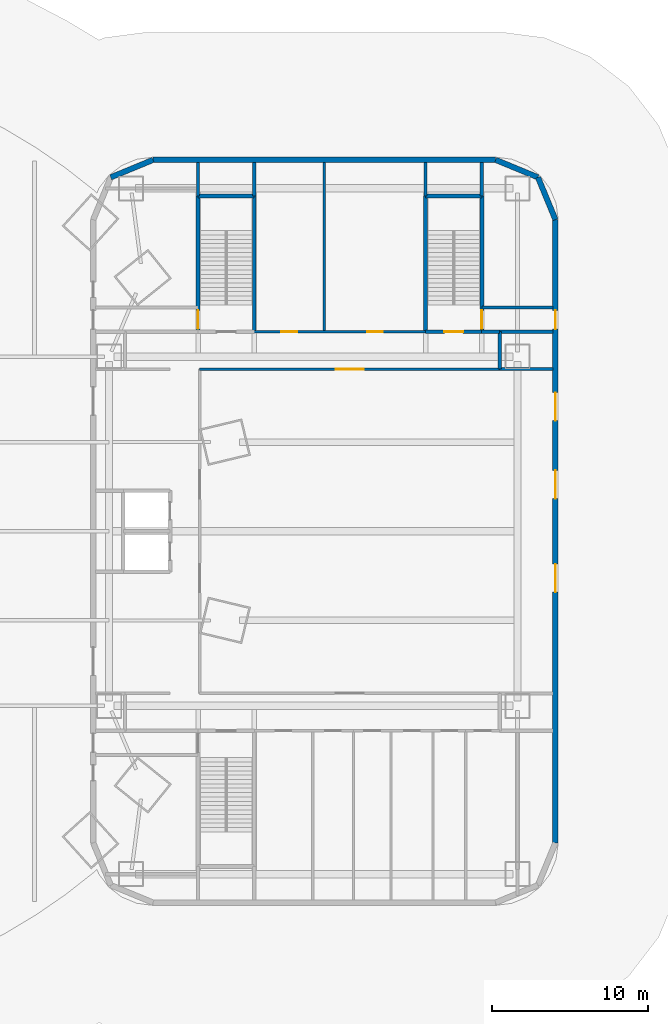
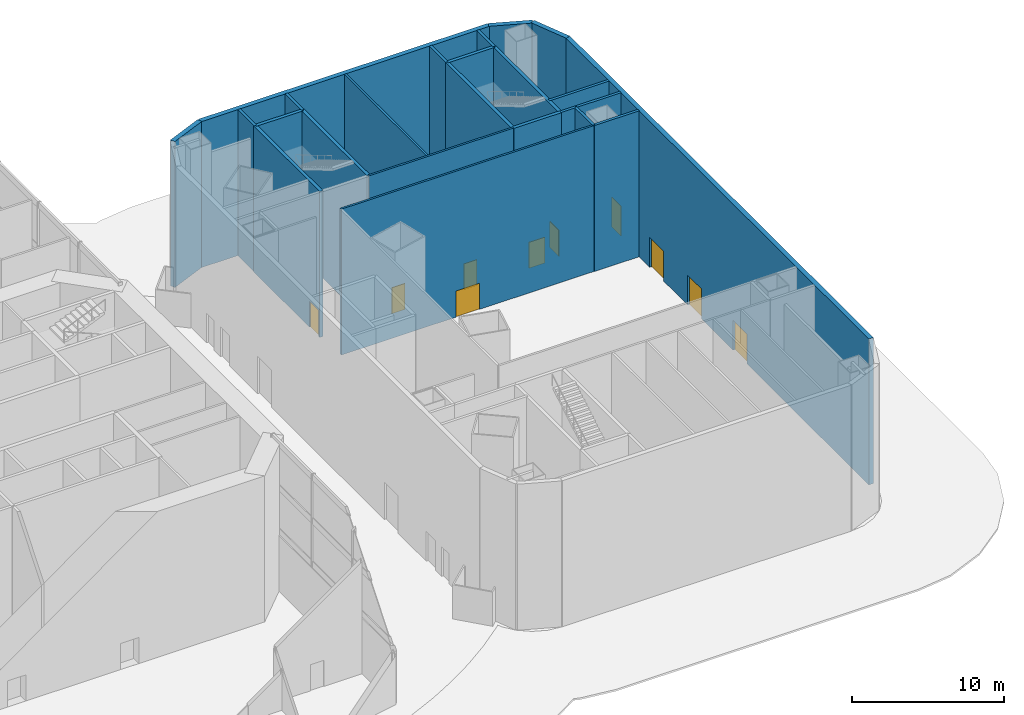
# One storey, part 17 of 23: 24 walls, 10 doors, 10 openings.
"""IFC4 building model written with IfcOpenShell, lengths in metres."""

from ifc_helpers import new_model, si_unit, direction, frame, frame_2d, origin, place, context, subcontext, project, spatial, rectangle, extrude, material, layer, layer_set, type_object, element, fill, save


model = new_model("IFC4")

# Units and contexts
model_context = context("Model", 3, precision=1e-05, world=origin(), true_north=direction((0.0, 1.0)))
body_context = subcontext(model_context, "Body", "Model", "MODEL_VIEW")
ifc_project = project(units=[si_unit("LENGTHUNIT", "METRE"), si_unit("AREAUNIT", "SQUARE_METRE"), si_unit("VOLUMEUNIT", "CUBIC_METRE"), si_unit("PLANEANGLEUNIT", "RADIAN"), si_unit("MASSUNIT", "GRAM", prefix="KILO")], contexts=[model_context])

# Site, building, storey
site_placement = place(None, origin())
site = spatial("IfcSite", under=ifc_project, at=site_placement, CompositionType="ELEMENT")
building_placement = place(site_placement, origin())
building = spatial("IfcBuilding", under=site, at=building_placement, Name="Marenthal Gate Tower", CompositionType="ELEMENT")
storey_placement = place(building_placement, origin())
storey = spatial("IfcBuildingStorey", under=building, at=storey_placement, Name="L00", CompositionType="ELEMENT", Elevation=0.0)

# Wall, opening, door
ifc_material_1 = material(Name="Gypsum board on steel studs", Category="steel")
ifc_layer_1 = layer(ifc_material_1, 0.14990234375)
ifc_layer_set_1 = layer_set([ifc_layer_1], Name="Partition 150")
wall_type_1 = type_object("IfcWallType", Name="Partition 150", PredefinedType="PARTITIONING", material=ifc_layer_set_1)
wall_1_placement = place(storey_placement, frame((32.9951171875, 10.39990234375, 0.0), z_axis=(0.0, 0.0, 1.0), x_axis=(1.0, 0.0, 0.0)))
wall_1 = element("IfcWall", 1, at=wall_1_placement, inside=storey, type_object=wall_type_1, Name="Partition wall 83", PredefinedType="PARTITIONING", context=body_context, shape_type="SweptSolid", body=[
    extrude(rectangle(XDim=19.2548828125, YDim=0.14990234375, at=frame_2d((9.62744140625, 0.0))), origin(), (0.0, 0.0, 1.0), 11.75),
])
opening_1_placement = place(wall_1_placement, frame((8.732421875, 0.0, 0.0)))
opening_1 = element("IfcOpeningElement", 2, at=opening_1_placement, cuts=wall_1, Name="Opening D014.01", PredefinedType="OPENING", context=body_context, shape_type="SweptSolid", body=[
    extrude(rectangle(XDim=1.800048828125, YDim=2.10009765625, at=frame_2d((0.89990234375, 1.050048828125))), frame((0.0, 0.0849609375, 0.0), z_axis=(0.0, -1.0, 0.0), x_axis=(1.0, 0.0, 0.0)), (0.0, 0.0, 1.0), 0.169921875),
])
ifc_material_2 = material(Name="Timber door", Category="wood")
door_type_1 = type_object("IfcDoorType", Name="Double door 1800 x 2100", OperationType="DOUBLE_DOOR_SINGLE_SWING", PredefinedType="DOOR", material=ifc_material_2)
door_1_placement = place(opening_1_placement, origin())
door_1 = element("IfcDoor", 3, at=door_1_placement, inside=storey, type_object=door_type_1, Name="Door D014.01", OperationType="DOUBLE_DOOR_SINGLE_SWING", OverallHeight=2.10009765625, OverallWidth=1.800048828125, PredefinedType="DOOR", context=body_context, shape_type="SweptSolid", body=[
    extrude(rectangle(XDim=1.800048828125, YDim=2.10009765625, at=frame_2d((0.89990234375, 1.050048828125))), frame((0.0, 0.02490234375, 0.0), z_axis=(0.0, -1.0, 0.0), x_axis=(1.0, 0.0, 0.0)), (0.0, 0.0, 1.0), 0.050048828125),
])
fill(opening_1, door_1)

# Wall, openings, doors
wall_2_placement = place(storey_placement, frame((36.4951171875, 12.800048828125, 0.0), z_axis=(0.0, 0.0, 1.0), x_axis=(1.0, 0.0, 0.0)))
wall_2 = element("IfcWall", 4, at=wall_2_placement, inside=storey, type_object=wall_type_1, Name="Partition wall 85", PredefinedType="PARTITIONING", context=body_context, shape_type="SweptSolid", body=[
    extrude(rectangle(XDim=11.009765625, YDim=0.14990234375, at=frame_2d((5.5048828125, 0.0))), origin(), (0.0, 0.0, 1.0), 11.75),
])
opening_2_placement = place(wall_2_placement, frame((1.7548828125, 0.0, 0.0)))
opening_2 = element("IfcOpeningElement", 5, at=opening_2_placement, cuts=wall_2, Name="Opening D012.05", PredefinedType="OPENING", context=body_context, shape_type="SweptSolid", body=[
    extrude(rectangle(XDim=1.0, YDim=2.10009765625, at=frame_2d((0.5, 1.050048828125))), frame((0.0, 0.0849609375, 0.0), z_axis=(0.0, -1.0, 0.0), x_axis=(1.0, 0.0, 0.0)), (0.0, 0.0, 1.0), 0.169921875),
])
opening_3_placement = place(wall_2_placement, frame((7.2548828125, 0.0, 0.0)))
opening_3 = element("IfcOpeningElement", 6, at=opening_3_placement, cuts=wall_2, Name="Opening D012.06", PredefinedType="OPENING", context=body_context, shape_type="SweptSolid", body=[
    extrude(rectangle(XDim=1.0, YDim=2.10009765625, at=frame_2d((0.5, 1.050048828125))), frame((0.0, 0.0849609375, 0.0), z_axis=(0.0, -1.0, 0.0), x_axis=(1.0, 0.0, 0.0)), (0.0, 0.0, 1.0), 0.169921875),
])
ifc_material_3 = material(Name="Timber door", Category="wood")
door_type_2 = type_object("IfcDoorType", Name="Door 1000 x 2100", OperationType="NOTDEFINED", PredefinedType="DOOR", material=ifc_material_3)
door_2_placement = place(opening_2_placement, origin())
door_2 = element("IfcDoor", 7, at=door_2_placement, inside=storey, type_object=door_type_2, Name="Door D012.05", OperationType="SINGLE_SWING_RIGHT", OverallHeight=2.10009765625, OverallWidth=1.0, PredefinedType="DOOR", context=body_context, shape_type="SweptSolid", body=[
    extrude(rectangle(XDim=1.0, YDim=2.10009765625, at=frame_2d((0.5, 1.050048828125))), frame((0.0, 0.02490234375, 0.0), z_axis=(0.0, -1.0, 0.0), x_axis=(1.0, 0.0, 0.0)), (0.0, 0.0, 1.0), 0.050048828125),
])
fill(opening_2, door_2)
door_3_placement = place(opening_3_placement, origin())
door_3 = element("IfcDoor", 8, at=door_3_placement, inside=storey, type_object=door_type_2, Name="Door D012.06", OperationType="SINGLE_SWING_RIGHT", OverallHeight=2.10009765625, OverallWidth=1.0, PredefinedType="DOOR", context=body_context, shape_type="SweptSolid", body=[
    extrude(rectangle(XDim=1.0, YDim=2.10009765625, at=frame_2d((0.5, 1.050048828125))), frame((0.0, 0.02490234375, 0.0), z_axis=(0.0, -1.0, 0.0), x_axis=(1.0, 0.0, 0.0)), (0.0, 0.0, 1.0), 0.050048828125),
])
fill(opening_3, door_3)

# Walls
wall_3_placement = place(storey_placement, frame((41.0, 12.800048828125, 0.0), z_axis=(0.0, 0.0, 1.0), x_axis=(0.0, 1.0, 0.0)))
element("IfcWall", 9, at=wall_3_placement, inside=storey, type_object=wall_type_1, Name="Partition wall 90", PredefinedType="PARTITIONING", context=body_context, shape_type="SweptSolid", body=[
    extrude(rectangle(XDim=10.869873046875, YDim=0.14990234375, at=frame_2d((5.43505859375, 0.0))), origin(), (0.0, 0.0, 1.0), 11.75),
])
ifc_material_4 = material(Name="Gypsum board on steel studs", Category="steel")
ifc_layer_2 = layer(ifc_material_4, 0.199951171875)
ifc_layer_set_2 = layer_set([ifc_layer_2], Name="Partition 200")
wall_type_2 = type_object("IfcWallType", Name="Partition 200", PredefinedType="PARTITIONING", material=ifc_layer_set_2)
wall_4_placement = place(storey_placement, frame((51.094970703125, 12.800048828125, 0.0), z_axis=(0.0, 0.0, 1.0), x_axis=(1.0, 0.0, 0.0)))
element("IfcWall", 10, at=wall_4_placement, inside=storey, type_object=wall_type_2, Name="Partition wall 65", PredefinedType="PARTITIONING", context=body_context, shape_type="SweptSolid", body=[
    extrude(rectangle(XDim=1.155029296875, YDim=0.199951171875, at=frame_2d((0.57763671875, 0.0))), origin(), (0.0, 0.0, 1.0), 11.75),
])
for number, where, z_axis, x_axis, name in (
    (11, (52.24609375, 10.39990234375, 0.0), (0.0, 0.0, 1.0), (1.0, 0.0, 0.0), "Partition wall 15"),
    (12, (52.24609375, 12.800048828125, 0.0), (0.0, 0.0, 1.0), (1.0, 0.0, 0.0), "Partition wall 19"),
):
    element("IfcWall", number, at=place(storey_placement, frame(where, z_axis=z_axis, x_axis=x_axis)), inside=storey, type_object=wall_type_2, Name=name, PredefinedType="PARTITIONING", context=body_context, shape_type="SweptSolid", body=[
        extrude(rectangle(XDim=3.423828125, YDim=0.199951171875, at=frame_2d((1.7119140625, 0.0))), origin(), (0.0, 0.0, 1.0), 11.75),
    ])
wall_5_placement = place(storey_placement, frame((51.10009765625, 14.35009765625, 0.0), z_axis=(0.0, 0.0, 1.0), x_axis=(1.0, 0.0, 0.0)))
element("IfcWall", 13, at=wall_5_placement, inside=storey, type_object=wall_type_2, Name="Partition wall 21", PredefinedType="PARTITIONING", context=body_context, shape_type="SweptSolid", body=[
    extrude(rectangle(XDim=4.56982421875, YDim=0.199951171875, at=frame_2d((2.284912109375, 0.0))), origin(), (0.0, 0.0, 1.0), 11.75),
])
wall_6_placement = place(storey_placement, frame((52.25, 10.39990234375, 0.0), z_axis=(0.0, 0.0, 1.0), x_axis=(0.0, 1.0, 0.0)))
element("IfcWall", 14, at=wall_6_placement, inside=storey, type_object=wall_type_2, Name="Partition wall 26", PredefinedType="PARTITIONING", context=body_context, shape_type="SweptSolid", body=[
    extrude(rectangle(XDim=2.400146484375, YDim=0.199951171875, at=frame_2d((1.2001953125, 0.0))), origin(), (0.0, 0.0, 1.0), 11.75),
])
for number, where, z_axis, x_axis, name in (
    (15, (51.10009765625, 21.49609375, 0.0), (0.0, 0.0, 1.0), (0.0, 1.0, 0.0), "Partition wall 27"),
    (16, (47.5, 21.49609375, 0.0), (0.0, 0.0, 1.0), (0.0, 1.0, 0.0), "Partition wall 28"),
    (17, (36.5, 21.49609375, 0.0), (0.0, 0.0, 1.0), (0.0, 1.0, 0.0), "Partition wall 30"),
    (18, (32.89990234375, 21.49609375, 0.0), (0.0, 0.0, 1.0), (0.0, 1.0, 0.0), "Partition wall 32"),
):
    element("IfcWall", number, at=place(storey_placement, frame(where, z_axis=z_axis, x_axis=x_axis)), inside=storey, type_object=wall_type_2, Name=name, PredefinedType="PARTITIONING", context=body_context, shape_type="SweptSolid", body=[
        extrude(rectangle(XDim=2.173828125, YDim=0.199951171875, at=frame_2d((1.0869140625, 0.0))), origin(), (0.0, 0.0, 1.0), 11.75),
    ])

# Wall, opening, door
ifc_material_5 = material(Name="Concrete 50 MPa", Category="concrete")
ifc_layer_3 = layer(ifc_material_5, 0.25)
ifc_layer_set_3 = layer_set([ifc_layer_3], Name="Stair shear wall 250")
wall_type_3 = type_object("IfcWallType", Name="Stair shear wall 250", PredefinedType="SHEAR", material=ifc_layer_set_3)
wall_7_placement = place(storey_placement, frame((47.4951171875, 12.800048828125, 0.0), z_axis=(0.0, 0.0, 1.0), x_axis=(1.0, 0.0, 0.0)))
wall_7 = element("IfcWall", 19, at=wall_7_placement, inside=storey, type_object=wall_type_3, Name="Stair wall 52", PredefinedType="SHEAR", context=body_context, shape_type="SweptSolid", body=[
    extrude(rectangle(XDim=3.60986328125, YDim=0.25, at=frame_2d((1.804931640625, 0.0))), origin(), (0.0, 0.0, 1.0), 11.75),
])
opening_4_placement = place(wall_7_placement, frame((1.205078125, 0.0, 0.0)))
opening_4 = element("IfcOpeningElement", 20, at=opening_4_placement, cuts=wall_7, Name="Opening D001.09", PredefinedType="OPENING", context=body_context, shape_type="SweptSolid", body=[
    extrude(rectangle(XDim=1.199951171875, YDim=2.10009765625, at=frame_2d((0.60009765625, 1.050048828125))), frame((0.0, 0.135009765625, 0.0), z_axis=(0.0, -1.0, 0.0), x_axis=(1.0, 0.0, 0.0)), (0.0, 0.0, 1.0), 0.27001953125),
])
ifc_material_6 = material(Name="Steel fire door", Category="steel")
door_type_3 = type_object("IfcDoorType", Name="Fire door FD 90 1200 x 2100", OperationType="NOTDEFINED", PredefinedType="DOOR", material=ifc_material_6)
door_4_placement = place(opening_4_placement, origin())
door_4 = element("IfcDoor", 21, at=door_4_placement, inside=storey, type_object=door_type_3, Name="Door D001.09", OperationType="SINGLE_SWING_RIGHT", OverallHeight=2.10009765625, OverallWidth=1.199951171875, PredefinedType="DOOR", context=body_context, shape_type="SweptSolid", body=[
    extrude(rectangle(XDim=1.199951171875, YDim=2.10009765625, at=frame_2d((0.60009765625, 1.050048828125))), frame((0.0, 0.02490234375, 0.0), z_axis=(0.0, -1.0, 0.0), x_axis=(1.0, 0.0, 0.0)), (0.0, 0.0, 1.0), 0.050048828125),
])
fill(opening_4, door_4)

# Walls
for number, where, z_axis, x_axis, name in (
    (22, (32.89990234375, 21.5, 0.0), (0.0, 0.0, 1.0), (1.0, 0.0, 0.0), "Stair wall 55"),
    (23, (47.5, 21.5, 0.0), (0.0, 0.0, 1.0), (1.0, 0.0, 0.0), "Stair wall 56"),
):
    element("IfcWall", number, at=place(storey_placement, frame(where, z_axis=z_axis, x_axis=x_axis)), inside=storey, type_object=wall_type_3, Name=name, PredefinedType="SHEAR", context=body_context, shape_type="SweptSolid", body=[
        extrude(rectangle(XDim=3.60009765625, YDim=0.25, at=frame_2d((1.800048828125, 0.0))), origin(), (0.0, 0.0, 1.0), 11.75),
    ])

# Wall, opening, door
wall_8_placement = place(storey_placement, frame((51.10009765625, 12.800048828125, 0.0), z_axis=(0.0, 0.0, 1.0), x_axis=(0.0, 1.0, 0.0)))
wall_8 = element("IfcWall", 24, at=wall_8_placement, inside=storey, type_object=wall_type_3, Name="Stair wall 57", PredefinedType="SHEAR", context=body_context, shape_type="SweptSolid", body=[
    extrude(rectangle(XDim=8.699951171875, YDim=0.25, at=frame_2d((4.35009765625, 0.0))), origin(), (0.0, 0.0, 1.0), 11.75),
])
opening_5_placement = place(wall_8_placement, frame((0.177490234375, 0.0, 0.0)))
opening_5 = element("IfcOpeningElement", 25, at=opening_5_placement, cuts=wall_8, Name="Opening D001.12", PredefinedType="OPENING", context=body_context, shape_type="SweptSolid", body=[
    extrude(rectangle(XDim=1.199951171875, YDim=2.10009765625, at=frame_2d((0.60009765625, 1.050048828125))), frame((0.0, 0.135009765625, 0.0), z_axis=(0.0, -1.0, 0.0), x_axis=(1.0, 0.0, 0.0)), (0.0, 0.0, 1.0), 0.27001953125),
])
door_5_placement = place(opening_5_placement, origin())
door_5 = element("IfcDoor", 26, at=door_5_placement, inside=storey, type_object=door_type_3, Name="Door D001.12", OperationType="SINGLE_SWING_RIGHT", OverallHeight=2.10009765625, OverallWidth=1.199951171875, PredefinedType="DOOR", context=body_context, shape_type="SweptSolid", body=[
    extrude(rectangle(XDim=1.199951171875, YDim=2.10009765625, at=frame_2d((0.60009765625, 1.050048828125))), frame((0.0, 0.02490234375, 0.0), z_axis=(0.0, -1.0, 0.0), x_axis=(1.0, 0.0, 0.0)), (0.0, 0.0, 1.0), 0.050048828125),
])
fill(opening_5, door_5)

# Walls
for number, where, z_axis, x_axis, name in (
    (27, (47.5, 12.800048828125, 0.0), (0.0, 0.0, 1.0), (0.0, 1.0, 0.0), "Stair wall 58"),
    (28, (36.5, 12.800048828125, 0.0), (0.0, 0.0, 1.0), (0.0, 1.0, 0.0), "Stair wall 60"),
):
    element("IfcWall", number, at=place(storey_placement, frame(where, z_axis=z_axis, x_axis=x_axis)), inside=storey, type_object=wall_type_3, Name=name, PredefinedType="SHEAR", context=body_context, shape_type="SweptSolid", body=[
        extrude(rectangle(XDim=8.699951171875, YDim=0.25, at=frame_2d((4.35009765625, 0.0))), origin(), (0.0, 0.0, 1.0), 11.75),
    ])

# Wall, opening, door
wall_9_placement = place(storey_placement, frame((32.89990234375, 12.800048828125, 0.0), z_axis=(0.0, 0.0, 1.0), x_axis=(0.0, 1.0, 0.0)))
wall_9 = element("IfcWall", 29, at=wall_9_placement, inside=storey, type_object=wall_type_3, Name="Stair wall 62", PredefinedType="SHEAR", context=body_context, shape_type="SweptSolid", body=[
    extrude(rectangle(XDim=8.699951171875, YDim=0.25, at=frame_2d((4.35009765625, 0.0))), origin(), (0.0, 0.0, 1.0), 11.75),
])
opening_6_placement = place(wall_9_placement, frame((0.177490234375, 0.0, 0.0)))
opening_6 = element("IfcOpeningElement", 30, at=opening_6_placement, cuts=wall_9, Name="Opening D001.10", PredefinedType="OPENING", context=body_context, shape_type="SweptSolid", body=[
    extrude(rectangle(XDim=1.199951171875, YDim=2.10009765625, at=frame_2d((0.60009765625, 1.050048828125))), frame((0.0, 0.135009765625, 0.0), z_axis=(0.0, -1.0, 0.0), x_axis=(1.0, 0.0, 0.0)), (0.0, 0.0, 1.0), 0.27001953125),
])
door_6_placement = place(opening_6_placement, frame((1.199951171875, 0.0, 0.0), z_axis=(0.0, 0.0, 1.0), x_axis=(-1.0, 0.0, 0.0)))
door_6 = element("IfcDoor", 31, at=door_6_placement, inside=storey, type_object=door_type_3, Name="Door D001.10", OperationType="SINGLE_SWING_LEFT", OverallHeight=2.10009765625, OverallWidth=1.199951171875, PredefinedType="DOOR", context=body_context, shape_type="SweptSolid", body=[
    extrude(rectangle(XDim=1.199951171875, YDim=2.10009765625, at=frame_2d((0.60009765625, 1.050048828125))), frame((0.0, 0.02490234375, 0.0), z_axis=(0.0, -1.0, 0.0), x_axis=(1.0, 0.0, 0.0)), (0.0, 0.0, 1.0), 0.050048828125),
])
fill(opening_6, door_6)

# Wall, openings, doors
ifc_material_7 = material(Name="Terracotta cladding on insulated concrete-block backing", Category="masonry")
ifc_layer_4 = layer(ifc_material_7, 0.35009765625)
ifc_layer_set_4 = layer_set([ifc_layer_4], Name="Terracotta cladding wall 350")
wall_type_4 = type_object("IfcWallType", Name="Terracotta cladding wall 350", PredefinedType="SOLIDWALL", material=ifc_layer_set_4)
wall_10_placement = place(storey_placement, frame((55.824951171875, -19.988525390625, 0.0), z_axis=(0.0, 0.0, 1.0), x_axis=(0.0, 1.0, 0.0)))
wall_10 = element("IfcWall", 32, at=wall_10_placement, inside=storey, type_object=wall_type_4, Name="Terracotta cladding wall L00 E3", PredefinedType="SOLIDWALL", context=body_context, shape_type="SweptSolid", body=[
    extrude(rectangle(XDim=39.97705078125, YDim=0.35009765625, at=frame_2d((19.988525390625, 0.0))), origin(), (0.0, 0.0, 1.0), 11.75),
])
opening_7_placement = place(wall_10_placement, frame((16.08837890625, 0.0, 0.0)))
opening_7 = element("IfcOpeningElement", 33, at=opening_7_placement, cuts=wall_10, Name="Opening DX1-L00-14", PredefinedType="OPENING", context=body_context, shape_type="SweptSolid", body=[
    extrude(rectangle(XDim=1.800048828125, YDim=2.39990234375, at=frame_2d((0.89990234375, 1.199951171875))), frame((0.0, 0.18505859375, 0.0), z_axis=(0.0, -1.0, 0.0), x_axis=(1.0, 0.0, 0.0)), (0.0, 0.0, 1.0), 0.3701171875),
])
opening_8_placement = place(wall_10_placement, frame((22.08837890625, 0.0, 0.0)))
opening_8 = element("IfcOpeningElement", 34, at=opening_8_placement, cuts=wall_10, Name="Opening DX1-L00-15", PredefinedType="OPENING", context=body_context, shape_type="SweptSolid", body=[
    extrude(rectangle(XDim=1.800048828125, YDim=2.39990234375, at=frame_2d((0.89990234375, 1.199951171875))), frame((0.0, 0.18505859375, 0.0), z_axis=(0.0, -1.0, 0.0), x_axis=(1.0, 0.0, 0.0)), (0.0, 0.0, 1.0), 0.3701171875),
])
opening_9_placement = place(wall_10_placement, frame((27.08837890625, 0.0, 0.0)))
opening_9 = element("IfcOpeningElement", 35, at=opening_9_placement, cuts=wall_10, Name="Opening DX1-L00-16", PredefinedType="OPENING", context=body_context, shape_type="SweptSolid", body=[
    extrude(rectangle(XDim=1.800048828125, YDim=2.39990234375, at=frame_2d((0.89990234375, 1.199951171875))), frame((0.0, 0.18505859375, 0.0), z_axis=(0.0, -1.0, 0.0), x_axis=(1.0, 0.0, 0.0)), (0.0, 0.0, 1.0), 0.3701171875),
])
opening_10_placement = place(wall_10_placement, frame((32.96337890625, 0.0, 0.0)))
opening_10 = element("IfcOpeningElement", 36, at=opening_10_placement, cuts=wall_10, Name="Opening DX1-L00-26", PredefinedType="OPENING", context=body_context, shape_type="SweptSolid", body=[
    extrude(rectangle(XDim=1.199951171875, YDim=2.39990234375, at=frame_2d((0.60009765625, 1.199951171875))), frame((0.0, 0.18505859375, 0.0), z_axis=(0.0, -1.0, 0.0), x_axis=(1.0, 0.0, 0.0)), (0.0, 0.0, 1.0), 0.3701171875),
])
ifc_material_8 = material(Name="Aluminium and glass", Category="aluminium")
door_type_4 = type_object("IfcDoorType", Name="Exit door 1200x2400", OperationType="NOTDEFINED", PredefinedType="DOOR", material=ifc_material_8)
door_7_placement = place(opening_10_placement, frame((1.199951171875, 0.0, 0.0), z_axis=(0.0, 0.0, 1.0), x_axis=(-1.0, 0.0, 0.0)))
door_7 = element("IfcDoor", 37, at=door_7_placement, inside=storey, type_object=door_type_4, Name="Exterior door DX1-L00-26 L00", OperationType="SINGLE_SWING_RIGHT", OverallHeight=2.39990234375, OverallWidth=1.199951171875, PredefinedType="DOOR", context=body_context, shape_type="SweptSolid", body=[
    extrude(rectangle(XDim=1.199951171875, YDim=2.39990234375, at=frame_2d((0.60009765625, 1.199951171875))), frame((0.0, 0.02490234375, 0.0), z_axis=(0.0, -1.0, 0.0), x_axis=(1.0, 0.0, 0.0)), (0.0, 0.0, 1.0), 0.050048828125),
])
fill(opening_10, door_7)
ifc_material_9 = material(Name="Aluminium and glass", Category="aluminium")
door_type_5 = type_object("IfcDoorType", Name="Exit door 1800x2400", OperationType="NOTDEFINED", PredefinedType="DOOR", material=ifc_material_9)
door_8_placement = place(opening_7_placement, frame((1.800048828125, 0.0, 0.0), z_axis=(0.0, 0.0, 1.0), x_axis=(-1.0, 0.0, 0.0)))
door_8 = element("IfcDoor", 38, at=door_8_placement, inside=storey, type_object=door_type_5, Name="Exterior door DX1-L00-14 L00", OperationType="SINGLE_SWING_RIGHT", OverallHeight=2.39990234375, OverallWidth=1.800048828125, PredefinedType="DOOR", context=body_context, shape_type="SweptSolid", body=[
    extrude(rectangle(XDim=1.800048828125, YDim=2.39990234375, at=frame_2d((0.89990234375, 1.199951171875))), frame((0.0, 0.02490234375, 0.0), z_axis=(0.0, -1.0, 0.0), x_axis=(1.0, 0.0, 0.0)), (0.0, 0.0, 1.0), 0.050048828125),
])
fill(opening_7, door_8)
door_9_placement = place(opening_8_placement, frame((1.800048828125, 0.0, 0.0), z_axis=(0.0, 0.0, 1.0), x_axis=(-1.0, 0.0, 0.0)))
door_9 = element("IfcDoor", 39, at=door_9_placement, inside=storey, type_object=door_type_5, Name="Exterior door DX1-L00-15 L00", OperationType="SINGLE_SWING_RIGHT", OverallHeight=2.39990234375, OverallWidth=1.800048828125, PredefinedType="DOOR", context=body_context, shape_type="SweptSolid", body=[
    extrude(rectangle(XDim=1.800048828125, YDim=2.39990234375, at=frame_2d((0.89990234375, 1.199951171875))), frame((0.0, 0.02490234375, 0.0), z_axis=(0.0, -1.0, 0.0), x_axis=(1.0, 0.0, 0.0)), (0.0, 0.0, 1.0), 0.050048828125),
])
fill(opening_8, door_9)
door_10_placement = place(opening_9_placement, frame((1.800048828125, 0.0, 0.0), z_axis=(0.0, 0.0, 1.0), x_axis=(-1.0, 0.0, 0.0)))
door_10 = element("IfcDoor", 40, at=door_10_placement, inside=storey, type_object=door_type_5, Name="Exterior door DX1-L00-16 L00", OperationType="SINGLE_SWING_RIGHT", OverallHeight=2.39990234375, OverallWidth=1.800048828125, PredefinedType="DOOR", context=body_context, shape_type="SweptSolid", body=[
    extrude(rectangle(XDim=1.800048828125, YDim=2.39990234375, at=frame_2d((0.89990234375, 1.199951171875))), frame((0.0, 0.02490234375, 0.0), z_axis=(0.0, -1.0, 0.0), x_axis=(1.0, 0.0, 0.0)), (0.0, 0.0, 1.0), 0.050048828125),
])
fill(opening_9, door_10)

# Walls
for number, where, z_axis, x_axis, name in (
    (41, (55.824951171875, 19.988525390625, 0.0), (0.0, 0.0, 1.0), (-0.381727741993, 0.924274813566, 0.0), "Terracotta cladding wall L00 E4"),
    (42, (54.70361328125, 22.70361328125, 0.0), (0.0, 0.0, 1.0), (-0.924274813566, 0.381727741993, 0.0), "Terracotta cladding wall L00 E5"),
):
    element("IfcWall", number, at=place(storey_placement, frame(where, z_axis=z_axis, x_axis=x_axis)), inside=storey, type_object=wall_type_4, Name=name, PredefinedType="SOLIDWALL", context=body_context, shape_type="SweptSolid", body=[
        extrude(rectangle(XDim=2.9375, YDim=0.35009765625, at=frame_2d((1.46875, 0.0))), origin(), (0.0, 0.0, 1.0), 11.75),
    ])
wall_11_placement = place(storey_placement, frame((51.988525390625, 23.824951171875, 0.0), z_axis=(0.0, 0.0, 1.0), x_axis=(-1.0, 0.0, 0.0)))
element("IfcWall", 43, at=wall_11_placement, inside=storey, type_object=wall_type_4, Name="Terracotta cladding wall L00 E6", PredefinedType="SOLIDWALL", context=body_context, shape_type="SweptSolid", body=[
    extrude(rectangle(XDim=21.97705078125, YDim=0.35009765625, at=frame_2d((10.988525390625, 0.0))), origin(), (0.0, 0.0, 1.0), 11.75),
])
wall_12_placement = place(storey_placement, frame((30.011474609375, 23.824951171875, 0.0), z_axis=(0.0, 0.0, 1.0), x_axis=(-0.924274813566, -0.381727741993, 0.0)))
element("IfcWall", 44, at=wall_12_placement, inside=storey, type_object=wall_type_4, Name="Terracotta cladding wall L00 E7", PredefinedType="SOLIDWALL", context=body_context, shape_type="SweptSolid", body=[
    extrude(rectangle(XDim=2.9375, YDim=0.35009765625, at=frame_2d((1.46875, 0.0))), origin(), (0.0, 0.0, 1.0), 11.75),
])

save(model, "model.ifc")
